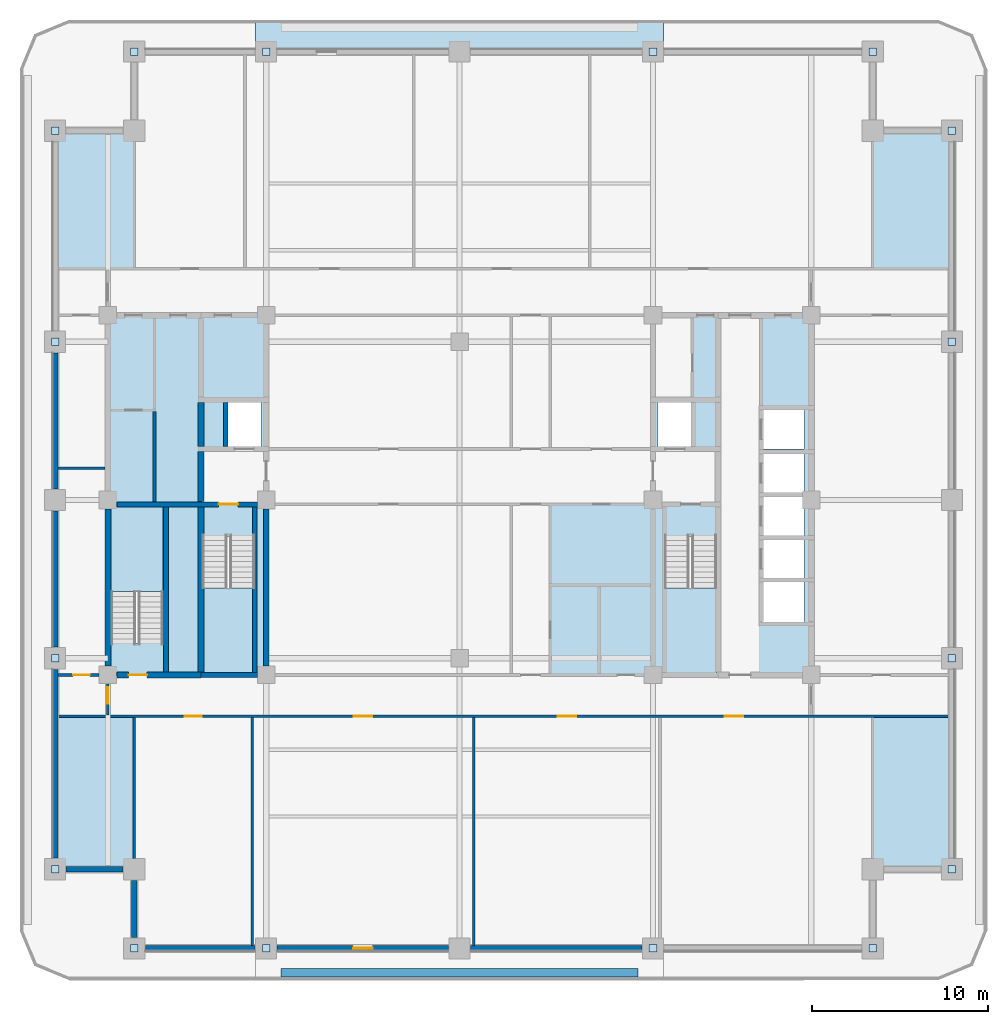
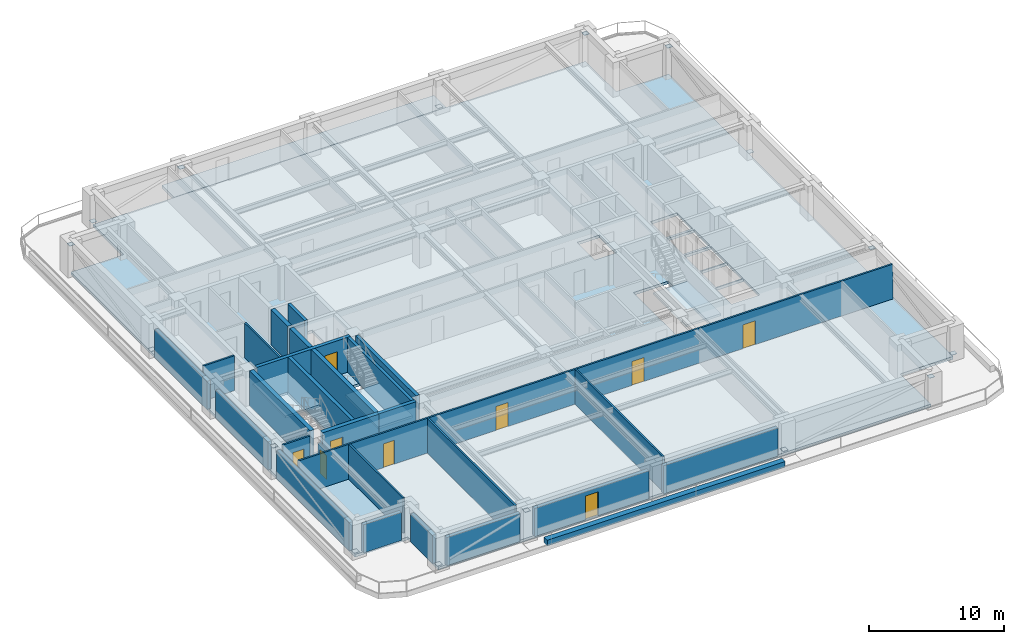
# One storey, part 2 of 13: 28 walls, 16 plates, 9 doors, 5 slabs, 9 openings, 3 elements without a shape of their own.
"""IFC4 building model written with IfcOpenShell, lengths in metres."""

import ifcopenshell
import ifcopenshell.guid

model = None  # the IFC model being written
_history = None  # IfcOwnerHistory: only IFC2X3 demands one
_inside = {}  # id of a spatial element -> (the spatial element, [elements in it])
_under = {}  # id of a project, library or spatial element -> (it, [spatial elements below it])
_declared = {}  # id of a project -> (the project, [libraries it declares])
_typed = {}  # id of a type object -> (the type object, [elements of that type])
_made_of = {}  # id of a material, layer set ... -> (it, [elements and type objects made of it])


def new_model(schema):
    """Start an empty IFC model of exactly this schema.

    Asked for "IFC4X3", IfcOpenShell would pick the latest addendum, in which some entities
    have other attributes; the version numbers below select the first issue.
    IFC2X3 requires an IfcOwnerHistory on every rooted entity: one is made here for all.
    """
    global model, _history
    if schema == "IFC4X3":
        model = ifcopenshell.file(schema_version=(4, 3, 0, 0))
    else:
        model = ifcopenshell.file(schema=schema)
    _inside.clear()
    _under.clear()
    _declared.clear()
    _typed.clear()
    _made_of.clear()
    _history = None
    if model.schema == "IFC2X3":
        org = make("IfcOrganization", Name="unknown")
        user = make(
            "IfcPersonAndOrganization",
            ThePerson=make("IfcPerson", FamilyName="unknown"),
            TheOrganization=org,
        )
        app = make(
            "IfcApplication",
            ApplicationDeveloper=org,
            Version="unknown",
            ApplicationFullName="unknown",
            ApplicationIdentifier="unknown",
        )
        _history = make(
            "IfcOwnerHistory",
            OwningUser=user,
            OwningApplication=app,
            ChangeAction="ADDED",
            CreationDate=0,
        )
    return model


def make(cls, **values):
    """One entity of the class cls with the attributes given. An attribute that is None is left unset."""
    return model.create_entity(
        cls, **{name: value for name, value in values.items() if value is not None}
    )


def rooted(cls, **values):
    """An entity with a GlobalId (a new one), such as an element, a storey or a relation."""
    return make(cls, GlobalId=ifcopenshell.guid.new(), OwnerHistory=_history, **values)


def si_unit(unit_type, name, prefix=None):
    """IfcSIUnit, for example si_unit("LENGTHUNIT", "METRE", prefix="MILLI")."""
    return make("IfcSIUnit", UnitType=unit_type, Prefix=prefix, Name=name)


def assignment(units):
    """IfcUnitAssignment: the units of a project."""
    return None if units is None else make("IfcUnitAssignment", Units=units)


def point(xyz):
    """IfcCartesianPoint."""
    return None if xyz is None else make("IfcCartesianPoint", Coordinates=xyz)


def direction(xyz):
    """IfcDirection."""
    return None if xyz is None else make("IfcDirection", DirectionRatios=xyz)


def frame(location, z_axis=None, x_axis=None):
    """IfcAxis2Placement3D, a coordinate frame: its origin and axes. An axis left out is left unset."""
    return make(
        "IfcAxis2Placement3D",
        Location=point(location),
        Axis=direction(z_axis),
        RefDirection=direction(x_axis),
    )


def frame_2d(location, x_axis=None):
    """IfcAxis2Placement2D, a coordinate frame in the plane: its origin and x axis."""
    return make(
        "IfcAxis2Placement2D", Location=point(location), RefDirection=direction(x_axis)
    )


def origin():
    """The frame at (0, 0, 0) with its axes left unset."""
    return frame((0.0, 0.0, 0.0))


def origin_2d():
    """The frame at (0, 0) in the plane with its x axis left unset."""
    return frame_2d((0.0, 0.0))


def place(relative_to, where):
    """IfcLocalPlacement: puts the frame where relative to a parent placement (None: the world)."""
    return make(
        "IfcLocalPlacement", PlacementRelTo=relative_to, RelativePlacement=where
    )


def context(
    kind, dimensions, precision=None, world=None, true_north=None, identifier=None
):
    """IfcGeometricRepresentationContext, for example the 3D "Model" context."""
    return make(
        "IfcGeometricRepresentationContext",
        ContextIdentifier=identifier,
        ContextType=kind,
        CoordinateSpaceDimension=dimensions,
        Precision=precision,
        WorldCoordinateSystem=world,
        TrueNorth=true_north,
    )


def subcontext(parent, identifier, kind, view, scale=None):
    """IfcGeometricRepresentationSubContext, for example "Body" below "Model"."""
    return make(
        "IfcGeometricRepresentationSubContext",
        ContextIdentifier=identifier,
        ContextType=kind,
        ParentContext=parent,
        TargetScale=scale,
        TargetView=view,
    )


def project(units=None, contexts=None):
    """IfcProject with its units and contexts."""
    return rooted(
        "IfcProject",
        Name="project",
        RepresentationContexts=contexts,
        UnitsInContext=assignment(units),
    )


def spatial(cls, under=None, at=None, **own):
    """A site, building, storey or space (cls), placed at a placement, below another one or the project."""
    s = rooted(cls, ObjectPlacement=at, **own)
    if under is not None:
        _under.setdefault(under.id(), (under, []))[1].append(s)
    return s


def polyline(points):
    """IfcPolyline through the points."""
    return make("IfcPolyline", Points=[point(p) for p in points])


def profile(cls, at=None, kind="AREA", **sizes):
    """A parametric profile (cls). Its sizes go by their IFC names, for example OverallWidth=200.0."""
    return make(cls, ProfileType=kind, Position=at, **sizes)


def rectangle(**sizes):
    """IfcRectangleProfileDef."""
    return profile("IfcRectangleProfileDef", **sizes)


def outline(outer, holes=None, kind="AREA"):
    """IfcArbitraryClosedProfileDef: a profile drawn as a closed curve; with holes, ...WithVoids."""
    if holes is None:
        return make("IfcArbitraryClosedProfileDef", ProfileType=kind, OuterCurve=outer)
    return make(
        "IfcArbitraryProfileDefWithVoids",
        ProfileType=kind,
        OuterCurve=outer,
        InnerCurves=holes,
    )


def extrude(swept, where, along, depth):
    """IfcExtrudedAreaSolid: the profile swept, set in the frame where, extruded along a direction by depth."""
    return make(
        "IfcExtrudedAreaSolid",
        SweptArea=swept,
        Position=where,
        ExtrudedDirection=direction(along),
        Depth=depth,
    )


def shape(context_of_items, identifier, shape_type, items):
    """IfcShapeRepresentation: the items that make up one representation, for example the "Body"."""
    return make(
        "IfcShapeRepresentation",
        ContextOfItems=context_of_items,
        RepresentationIdentifier=identifier,
        RepresentationType=shape_type,
        Items=items,
    )


def material(Name=None, Category=None):
    """IfcMaterial."""
    return make("IfcMaterial", Name=Name, Category=Category)


def layer(
    of_material, thickness, ventilated=None, Name=None, Category=None, Priority=None
):
    """IfcMaterialLayer: one layer of a wall or slab, of a material (None: an air gap)."""
    return make(
        "IfcMaterialLayer",
        Material=of_material,
        LayerThickness=thickness,
        IsVentilated=ventilated,
        Name=Name,
        Category=Category,
        Priority=Priority,
    )


def layer_set(layers, Name=None):
    """IfcMaterialLayerSet."""
    return make("IfcMaterialLayerSet", MaterialLayers=layers, LayerSetName=Name)


def made_of(thing, what):
    """Note that an element or type object is made of a material, layer set ...; save() writes the relation."""
    if what is not None:
        _made_of.setdefault(what.id(), (what, []))[1].append(thing)
    return thing


def type_object(cls, material=None, **own):
    """A type object (cls), such as IfcWallType, which elements share."""
    return made_of(rooted(cls, **own), material)


def element(
    cls,
    number,
    at=None,
    inside=None,
    cuts=None,
    type_object=None,
    material=None,
    context=None,
    identifier="Body",
    shape_type=None,
    held_by="IfcProductDefinitionShape",
    body=None,
    shapes=None,
    **own,
):
    """One element of the class cls, such as IfcWall. Its Tag is "e" and its number.

    at: its placement. inside: the storey or other place that contains it. cuts: it is an
    opening in that element (IfcRelVoidsElement). A single representation is given by context,
    identifier, shape_type and body (its items); several are given by shapes. held_by: the class
    of the entity that holds the representations. save() writes the other relations.
    """
    e = rooted(cls, Tag="e%d" % number, ObjectPlacement=at, **own)
    if body is not None:
        shapes = [shape(context, identifier, shape_type, body)]
    if shapes is not None:
        e.Representation = make(held_by, Representations=shapes)
    if inside is not None:
        _inside.setdefault(inside.id(), (inside, []))[1].append(e)
    if cuts is not None:
        rooted(
            "IfcRelVoidsElement", RelatingBuildingElement=cuts, RelatedOpeningElement=e
        )
    if type_object is not None:
        _typed.setdefault(type_object.id(), (type_object, []))[1].append(e)
    return made_of(e, material)


def fill(opening, filler):
    """IfcRelFillsElement: the door or window that sits in an opening."""
    return rooted(
        "IfcRelFillsElement",
        RelatingOpeningElement=opening,
        RelatedBuildingElement=filler,
    )


def aggregate(whole, parts):
    """IfcRelAggregates: a whole, such as a stair, and the parts it consists of."""
    return rooted("IfcRelAggregates", RelatingObject=whole, RelatedObjects=parts)


def save(model, path):
    """Write the relations noted so far, then the file.

    IfcRelAggregates (storeys below a building ...), IfcRelContainedInSpatialStructure (elements
    in a storey), IfcRelDefinesByType, IfcRelAssociatesMaterial and IfcRelDeclares: one each for
    every whole, place, type object, material and project.
    """
    for whole, parts in _under.values():
        aggregate(whole, parts)
    for where, things in _inside.values():
        rooted(
            "IfcRelContainedInSpatialStructure",
            RelatedElements=things,
            RelatingStructure=where,
        )
    for kind, things in _typed.values():
        rooted("IfcRelDefinesByType", RelatedObjects=things, RelatingType=kind)
    for what, things in _made_of.values():
        rooted("IfcRelAssociatesMaterial", RelatedObjects=things, RelatingMaterial=what)
    for by, libraries in _declared.values():
        rooted("IfcRelDeclares", RelatingContext=by, RelatedDefinitions=libraries)
    model.write(path)


model = new_model("IFC4")

# Units and contexts
model_context = context("Model", 3, precision=1e-05, world=origin(), true_north=direction((0.0, 1.0)))
body_context = subcontext(model_context, "Body", "Model", "MODEL_VIEW")
ifc_project = project(units=[si_unit("LENGTHUNIT", "METRE"), si_unit("AREAUNIT", "SQUARE_METRE"), si_unit("VOLUMEUNIT", "CUBIC_METRE"), si_unit("PLANEANGLEUNIT", "RADIAN"), si_unit("MASSUNIT", "GRAM", prefix="KILO")], contexts=[model_context])

# Site, building, storey
site_placement = place(None, origin())
site = spatial("IfcSite", under=ifc_project, at=site_placement, CompositionType="ELEMENT")
building_placement = place(site_placement, origin())
building = spatial("IfcBuilding", under=site, at=building_placement, Name="Zulmaris Gate Convention Tower", CompositionType="ELEMENT")
storey_placement = place(building_placement, frame((0.0, 0.0, 112.780029296875)))
storey = spatial("IfcBuildingStorey", under=building, at=storey_placement, Name="L28", CompositionType="ELEMENT", Elevation=112.780029296875)

# Plates
ifc_material_1 = material(Name="Steel S460", Category="steel")
ifc_layer_1 = layer(ifc_material_1, 0.02490234375, Name="Steel S460")
ifc_layer_set_1 = layer_set([ifc_layer_1], Name="Steel S460")
plate_type = type_object("IfcPlateType", Name="NP-CAP-440", PredefinedType="USERDEFINED", material=ifc_layer_set_1)
for number, where, z_axis, x_axis, name in (
    (1, (-23.0, -21.0, 0.28759765625), (0.0, 0.0, 1.0), (1.0, 0.0, 0.0), "L28 Steel Node Plate PBR-L28-SW-W-CAP"),
    (2, (-23.0, -9.0, 2.512451171875), (0.0, 0.0, 1.0), (1.0, 0.0, 0.0), "L28 Steel Node Plate PBR-L28-SW-W-CAPB"),
    (3, (-23.0, 9.0, 0.28759765625), (0.0, 0.0, 1.0), (1.0, 0.0, 0.0), "L28 Steel Node Plate PBR-L28-NW-W-CAP"),
    (4, (-23.0, 21.0, 2.512451171875), (0.0, 0.0, 1.0), (1.0, 0.0, 0.0), "L28 Steel Node Plate PBR-L28-NW-W-CAPB"),
    (5, (28.0, -21.0, 0.28759765625), (0.0, 0.0, 1.0), (1.0, 0.0, 0.0), "L28 Steel Node Plate PBR-L28-SE-E-CAP"),
    (6, (28.0, -9.0, 2.512451171875), (0.0, 0.0, 1.0), (1.0, 0.0, 0.0), "L28 Steel Node Plate PBR-L28-SE-E-CAPB"),
    (7, (28.0, 9.0, 0.28759765625), (0.0, 0.0, 1.0), (1.0, 0.0, 0.0), "L28 Steel Node Plate PBR-L28-NE-E-CAP"),
    (8, (28.0, 21.0, 2.512451171875), (0.0, 0.0, 1.0), (1.0, 0.0, 0.0), "L28 Steel Node Plate PBR-L28-NE-E-CAPB"),
    (9, (-18.5, -25.5, 0.28759765625), (0.0, 0.0, 1.0), (1.0, 0.0, 0.0), "L28 Steel Node Plate PBR-L28-SW-S-CAP"),
    (10, (-11.0, -25.5, 2.512451171875), (0.0, 0.0, 1.0), (1.0, 0.0, 0.0), "L28 Steel Node Plate PBR-L28-SW-S-CAPB"),
    (11, (11.0, -25.5, 0.28759765625), (0.0, 0.0, 1.0), (1.0, 0.0, 0.0), "L28 Steel Node Plate PBR-L28-SE-S-CAP"),
    (12, (23.5, -25.5, 2.512451171875), (0.0, 0.0, 1.0), (1.0, 0.0, 0.0), "L28 Steel Node Plate PBR-L28-SE-S-CAPB"),
    (13, (-18.5, 25.5, 0.28759765625), (0.0, 0.0, 1.0), (1.0, 0.0, 0.0), "L28 Steel Node Plate PBR-L28-NW-N-CAP"),
    (14, (-11.0, 25.5, 2.512451171875), (0.0, 0.0, 1.0), (1.0, 0.0, 0.0), "L28 Steel Node Plate PBR-L28-NW-N-CAPB"),
    (15, (11.0, 25.5, 0.28759765625), (0.0, 0.0, 1.0), (1.0, 0.0, 0.0), "L28 Steel Node Plate PBR-L28-NE-N-CAP"),
    (16, (23.5, 25.5, 2.512451171875), (0.0, 0.0, 1.0), (1.0, 0.0, 0.0), "L28 Steel Node Plate PBR-L28-NE-N-CAPB"),
):
    element("IfcPlate", number, at=place(storey_placement, frame(where, z_axis=z_axis, x_axis=x_axis)), inside=storey, type_object=plate_type, Name=name, ObjectType="FLANGE PLATE", PredefinedType="USERDEFINED", context=body_context, shape_type="SweptSolid", body=[
        extrude(rectangle(XDim=0.43994140625, YDim=0.43994140625, at=origin_2d()), origin(), (0.0, 0.0, 1.0), 0.02490234375),
    ])

# Slabs
ifc_material_2 = material(Name="Precast concrete C50/60", Category="concrete")
ifc_layer_2 = layer(ifc_material_2, 0.260009765625, Name="Precast concrete C50/60")
ifc_layer_set_2 = layer_set([ifc_layer_2], Name="Precast concrete C50/60")
slab_type_1 = type_object("IfcSlabType", Name="SL-BAL-260", PredefinedType="FLOOR", material=ifc_layer_set_2)
slab_1_placement = place(storey_placement, frame((0.0, 0.0, -0.25)))
element("IfcSlab", 17, at=slab_1_placement, inside=storey, type_object=slab_type_1, Name="L28 North Tree-Balcony Planter Slab", PredefinedType="FLOOR", context=body_context, shape_type="SweptSolid", body=[
    extrude(outline(polyline([(11.597900390625, 27.300048828125), (11.597900390625, 25.5), (-11.597900390625, 25.5), (-11.597900390625, 27.300048828125), (11.597900390625, 27.300048828125)])), origin(), (0.0, 0.0, 1.0), 0.260009765625),
])
ifc_material_3 = material(Name="Concrete C50/60", Category="concrete")
ifc_layer_3 = layer(ifc_material_3, 0.25, Name="Concrete C50/60")
ifc_layer_set_3 = layer_set([ifc_layer_3], Name="Concrete C50/60")
slab_type_2 = type_object("IfcSlabType", Name="SL-FLR-250", PredefinedType="FLOOR", material=ifc_layer_set_3)
slab_2_placement = place(storey_placement, frame((0.0, 0.0, -0.25)))
element("IfcSlab", 18, at=slab_2_placement, inside=storey, type_object=slab_type_2, Name="L28 Shifted Notched-Square Structural Floor Slab", PredefinedType="FLOOR", context=body_context, shape_type="SweptSolid", body=[
    extrude(outline(polyline([(-18.5, -25.5), (23.5, -25.5), (23.5, -21.0), (28.0, -21.0), (28.0, 21.0), (23.5, 21.0), (23.5, 25.5), (-18.5, 25.5), (-18.5, 21.0), (-23.0, 21.0), (-23.0, -21.0), (-18.5, -21.0), (-18.5, -25.5)]), holes=[polyline([(-14.6201171875, -2.080078125), (-14.6201171875, -9.85009765625), (-11.659912109375, -9.85009765625), (-11.659912109375, -2.080078125), (-14.6201171875, -2.080078125)]), polyline([(11.659912109375, -2.080078125), (11.659912109375, -9.85009765625), (14.6201171875, -9.85009765625), (14.6201171875, -2.080078125), (11.659912109375, -2.080078125)]), polyline([(-16.860107421875, -8.1201171875), (-16.860107421875, -0.35009765625), (-19.820068359375, -0.35009765625), (-19.820068359375, -8.1201171875), (-16.860107421875, -8.1201171875)]), polyline([(-13.199951171875, 3.0), (-11.300048828125, 3.0), (-11.300048828125, 5.60009765625), (-13.199951171875, 5.60009765625), (-13.199951171875, 3.0)]), polyline([(11.300048828125, 3.0), (13.199951171875, 3.0), (13.199951171875, 5.60009765625), (11.300048828125, 5.60009765625), (11.300048828125, 3.0)]), polyline([(17.199951171875, -7.0), (19.60009765625, -7.0), (19.60009765625, -4.60009765625), (17.199951171875, -4.60009765625), (17.199951171875, -7.0)]), polyline([(17.300048828125, -4.5), (19.60009765625, -4.5), (19.60009765625, -2.199951171875), (17.300048828125, -2.199951171875), (17.300048828125, -4.5)]), polyline([(17.300048828125, -2.10009765625), (19.60009765625, -2.10009765625), (19.60009765625, 0.199951171875), (17.300048828125, 0.199951171875), (17.300048828125, -2.10009765625)]), polyline([(17.300048828125, 0.39990234375), (19.60009765625, 0.39990234375), (19.60009765625, 2.699951171875), (17.300048828125, 2.699951171875), (17.300048828125, 0.39990234375)]), polyline([(17.300048828125, 2.89990234375), (19.60009765625, 2.89990234375), (19.60009765625, 5.199951171875), (17.300048828125, 5.199951171875), (17.300048828125, 2.89990234375)])]), origin(), (0.0, 0.0, 1.0), 0.25),
])

# Stair, slab
ifc_material_4 = material(Name="Concrete C45/55", Category="concrete")
stair_type = type_object("IfcStairType", Name="ST-CORE-DOGLEG", PredefinedType="HALF_TURN_STAIR", material=ifc_material_4)
stair_1_placement = place(storey_placement, origin())
stair_1 = element("IfcStair", 19, at=stair_1_placement, inside=storey, type_object=stair_type, Name="L28 Core Exit Stair ST-1", PredefinedType="HALF_TURN_STAIR")
ifc_layer_4 = layer(ifc_material_4, 0.199951171875, Name="Concrete C45/55")
ifc_layer_set_4 = layer_set([ifc_layer_4], Name="Concrete C45/55")
slab_type_3 = type_object("IfcSlabType", Name="SL-LND-200", PredefinedType="LANDING", material=ifc_layer_set_4)
slab_3_placement = place(storey_placement, frame((0.0, 0.0, 1.5849609375)))
slab_3 = element("IfcSlab", 20, at=slab_3_placement, type_object=slab_type_3, Name="ST-1 landing 1", PredefinedType="LANDING", context=body_context, shape_type="SweptSolid", body=[
    extrude(outline(polyline([(-14.6201171875, -5.0), (-14.6201171875, -9.85009765625), (-11.659912109375, -9.85009765625), (-11.659912109375, -5.0), (-14.6201171875, -5.0)])), origin(), (0.0, 0.0, 1.0), 0.199951171875),
])
aggregate(stair_1, [slab_3])

stair_2_placement = place(storey_placement, origin())
stair_2 = element("IfcStair", 21, at=stair_2_placement, inside=storey, type_object=stair_type, Name="L28 Core Exit Stair ST-2", PredefinedType="HALF_TURN_STAIR")
slab_4_placement = place(storey_placement, frame((0.0, 0.0, 1.5849609375)))
slab_4 = element("IfcSlab", 22, at=slab_4_placement, type_object=slab_type_3, Name="ST-2 landing 1", PredefinedType="LANDING", context=body_context, shape_type="SweptSolid", body=[
    extrude(outline(polyline([(11.659912109375, -5.0), (11.659912109375, -9.85009765625), (14.6201171875, -9.85009765625), (14.6201171875, -5.0), (11.659912109375, -5.0)])), origin(), (0.0, 0.0, 1.0), 0.199951171875),
])
aggregate(stair_2, [slab_4])

stair_3_placement = place(storey_placement, origin())
stair_3 = element("IfcStair", 23, at=stair_3_placement, inside=storey, type_object=stair_type, Name="L28 Core Exit Stair ST-3", PredefinedType="HALF_TURN_STAIR")
slab_5_placement = place(storey_placement, frame((0.0, 0.0, 1.5849609375)))
slab_5 = element("IfcSlab", 24, at=slab_5_placement, type_object=slab_type_3, Name="ST-3 landing 1", PredefinedType="LANDING", context=body_context, shape_type="SweptSolid", body=[
    extrude(outline(polyline([(-16.860107421875, -5.199951171875), (-16.860107421875, -0.35009765625), (-19.820068359375, -0.35009765625), (-19.820068359375, -5.199951171875), (-16.860107421875, -5.199951171875)])), origin(), (0.0, 0.0, 1.0), 0.199951171875),
])
aggregate(stair_3, [slab_5])

# Walls
ifc_layer_5 = layer(ifc_material_3, 0.25, Name="Concrete C50/60")
ifc_layer_set_5 = layer_set([ifc_layer_5], Name="Concrete C50/60")
wall_type_1 = type_object("IfcWallType", Name="CORE-250", PredefinedType="SOLIDWALL", material=ifc_layer_set_5)
wall_1_placement = place(storey_placement, frame((-13.300048828125, 3.052001953125, 0.0), z_axis=(0.0, 0.0, 1.0), x_axis=(0.0, 1.0, 0.0)))
element("IfcWall", 25, at=wall_1_placement, inside=storey, type_object=wall_type_1, Name="WL-L28-041", PredefinedType="SOLIDWALL", context=body_context, shape_type="SweptSolid", body=[
    extrude(rectangle(XDim=2.49609375, YDim=0.25, at=frame_2d((1.248046875, 0.0))), origin(), (0.0, 0.0, 1.0), 3.144775390625),
])
wall_2_placement = place(storey_placement, frame((-11.64990234375, -9.798095703125, 0.0), z_axis=(0.0, 0.0, 1.0), x_axis=(0.0, 1.0, 0.0)))
element("IfcWall", 26, at=wall_2_placement, inside=storey, type_object=wall_type_1, Name="WL-L28-042", PredefinedType="SOLIDWALL", context=body_context, shape_type="SweptSolid", body=[
    extrude(rectangle(XDim=9.39599609375, YDim=0.25, at=frame_2d((4.697998046875, 0.0))), origin(), (0.0, 0.0, 1.0), 3.144775390625),
])
ifc_layer_6 = layer(ifc_material_3, 0.300048828125, Name="Concrete C50/60")
ifc_layer_set_6 = layer_set([ifc_layer_6], Name="Concrete C50/60")
wall_type_2 = type_object("IfcWallType", Name="CORE-300", PredefinedType="SHEAR", material=ifc_layer_set_6)
wall_3_placement = place(storey_placement, frame((-14.699951171875, -9.949951171875, 0.0), z_axis=(0.0, 0.0, 1.0), x_axis=(1.0, 0.0, 0.0)))
element("IfcWall", 27, at=wall_3_placement, inside=storey, type_object=wall_type_2, Name="WL-L28-002", PredefinedType="SHEAR", context=body_context, shape_type="SweptSolid", body=[
    extrude(rectangle(XDim=3.196044921875, YDim=0.300048828125, at=frame_2d((1.59814453125, 0.0))), origin(), (0.0, 0.0, 1.0), 3.144775390625),
])

# Wall, opening, door
wall_4_placement = place(storey_placement, frame((-19.49609375, -0.25, 0.0), z_axis=(0.0, 0.0, 1.0), x_axis=(1.0, 0.0, 0.0)))
wall_4 = element("IfcWall", 28, at=wall_4_placement, inside=storey, type_object=wall_type_2, Name="WL-L28-008", PredefinedType="SHEAR", context=body_context, shape_type="SweptSolid", body=[
    extrude(rectangle(XDim=7.9921875, YDim=0.300048828125, at=frame_2d((3.99609375, 0.0))), origin(), (0.0, 0.0, 1.0), 3.144775390625),
])
opening_1_placement = place(wall_4_placement, frame((5.7958984375, 0.0, 0.0)))
opening_1 = element("IfcOpeningElement", 29, at=opening_1_placement, cuts=wall_4, Name="Opening D-08", PredefinedType="OPENING", context=body_context, shape_type="SweptSolid", body=[
    extrude(rectangle(XDim=1.10009765625, YDim=2.14990234375, at=frame_2d((0.550048828125, 1.074951171875))), frame((0.0, 0.16015625, 0.0), z_axis=(0.0, -1.0, 0.0), x_axis=(1.0, 0.0, 0.0)), (0.0, 0.0, 1.0), 0.320068359375),
])
ifc_material_5 = material(Name="Fire-Rated Steel", Category="steel")
door_type_1 = type_object("IfcDoorType", Name="DR-1100-FD", OperationType="NOTDEFINED", PredefinedType="DOOR", material=ifc_material_5)
door_1_placement = place(opening_1_placement, origin())
door_1 = element("IfcDoor", 30, at=door_1_placement, inside=storey, type_object=door_type_1, Name="L28 Exit Stair ST-1 Door 01", OperationType="SINGLE_SWING_RIGHT", OverallHeight=2.14990234375, OverallWidth=1.10009765625, PredefinedType="DOOR", context=body_context, shape_type="SweptSolid", body=[
    extrude(rectangle(XDim=1.10009765625, YDim=2.14990234375, at=frame_2d((0.550048828125, 1.074951171875))), frame((0.0, 0.02490234375, 0.0), z_axis=(0.0, -1.0, 0.0), x_axis=(1.0, 0.0, 0.0)), (0.0, 0.0, 1.0), 0.050048828125),
])
fill(opening_1, door_1)

# Walls
wall_5_placement = place(storey_placement, frame((-16.699951171875, -9.77294921875, 0.0), z_axis=(0.0, 0.0, 1.0), x_axis=(0.0, 1.0, 0.0)))
element("IfcWall", 31, at=wall_5_placement, inside=storey, type_object=wall_type_2, Name="WL-L28-036", PredefinedType="SHEAR", context=body_context, shape_type="SweptSolid", body=[
    extrude(rectangle(XDim=9.370849609375, YDim=0.300048828125, at=frame_2d((4.685546875, 0.0))), origin(), (0.0, 0.0, 1.0), 3.144775390625),
])
wall_6_placement = place(storey_placement, frame((-11.0, -9.446044921875, 0.0), z_axis=(0.0, 0.0, 1.0), x_axis=(0.0, 1.0, 0.0)))
element("IfcWall", 32, at=wall_6_placement, inside=storey, type_object=wall_type_2, Name="WL-L28-043", PredefinedType="SHEAR", context=body_context, shape_type="SweptSolid", body=[
    extrude(rectangle(XDim=8.942138671875, YDim=0.300048828125, at=frame_2d((4.47119140625, 0.0))), origin(), (0.0, 0.0, 1.0), 3.144775390625),
])

# Wall, opening, door
ifc_material_6 = material(Name="Concrete C55/67", Category="concrete")
ifc_layer_7 = layer(ifc_material_6, 0.35009765625, Name="Concrete C55/67")
ifc_layer_set_7 = layer_set([ifc_layer_7], Name="Concrete C55/67")
wall_type_3 = type_object("IfcWallType", Name="CORE-350", PredefinedType="SHEAR", material=ifc_layer_set_7)
wall_7_placement = place(storey_placement, frame((-19.49609375, -9.949951171875, 0.0), z_axis=(0.0, 0.0, 1.0), x_axis=(1.0, 0.0, 0.0)))
wall_7 = element("IfcWall", 33, at=wall_7_placement, inside=storey, type_object=wall_type_3, Name="WL-L28-001", PredefinedType="SHEAR", context=body_context, shape_type="SweptSolid", body=[
    extrude(rectangle(XDim=4.796142578125, YDim=0.35009765625, at=frame_2d((2.39794921875, 0.0))), origin(), (0.0, 0.0, 1.0), 3.144775390625),
])
opening_2_placement = place(wall_7_placement, frame((0.6708984375, 0.0, 0.0)))
opening_2 = element("IfcOpeningElement", 34, at=opening_2_placement, cuts=wall_7, Name="Opening D-09", PredefinedType="OPENING", context=body_context, shape_type="SweptSolid", body=[
    extrude(rectangle(XDim=1.050048828125, YDim=2.14990234375, at=frame_2d((0.52490234375, 1.074951171875))), frame((0.0, 0.18505859375, 0.0), z_axis=(0.0, -1.0, 0.0), x_axis=(1.0, 0.0, 0.0)), (0.0, 0.0, 1.0), 0.3701171875),
])
door_type_2 = type_object("IfcDoorType", Name="DR-1050-FD", OperationType="NOTDEFINED", PredefinedType="DOOR", material=ifc_material_5)
door_2_placement = place(opening_2_placement, origin())
door_2 = element("IfcDoor", 35, at=door_2_placement, inside=storey, type_object=door_type_2, Name="L28 Exit Stair ST-3 Door 10", OperationType="SINGLE_SWING_LEFT", OverallHeight=2.14990234375, OverallWidth=1.050048828125, PredefinedType="DOOR", context=body_context, shape_type="SweptSolid", body=[
    extrude(rectangle(XDim=1.050048828125, YDim=2.14990234375, at=frame_2d((0.52490234375, 1.074951171875))), frame((0.0, 0.02490234375, 0.0), z_axis=(0.0, -1.0, 0.0), x_axis=(1.0, 0.0, 0.0)), (0.0, 0.0, 1.0), 0.050048828125),
])
fill(opening_2, door_2)

# Walls
wall_8_placement = place(storey_placement, frame((-20.0, -9.446044921875, 0.0), z_axis=(0.0, 0.0, 1.0), x_axis=(0.0, 1.0, 0.0)))
element("IfcWall", 36, at=wall_8_placement, inside=storey, type_object=wall_type_3, Name="WL-L28-034", PredefinedType="SHEAR", context=body_context, shape_type="SweptSolid", body=[
    extrude(rectangle(XDim=8.942138671875, YDim=0.35009765625, at=frame_2d((4.47119140625, 0.0))), origin(), (0.0, 0.0, 1.0), 3.144775390625),
])
wall_9_placement = place(storey_placement, frame((-14.699951171875, -9.77294921875, 0.0), z_axis=(0.0, 0.0, 1.0), x_axis=(0.0, 1.0, 0.0)))
element("IfcWall", 37, at=wall_9_placement, inside=storey, type_object=wall_type_3, Name="WL-L28-037", PredefinedType="SHEAR", context=body_context, shape_type="SweptSolid", body=[
    extrude(rectangle(XDim=9.370849609375, YDim=0.35009765625, at=frame_2d((4.685546875, 0.0))), origin(), (0.0, 0.0, 1.0), 3.144775390625),
])
wall_10_placement = place(storey_placement, frame((-14.699951171875, -0.097900390625, 0.0), z_axis=(0.0, 0.0, 1.0), x_axis=(0.0, 1.0, 0.0)))
element("IfcWall", 38, at=wall_10_placement, inside=storey, type_object=wall_type_3, Name="WL-L28-038", PredefinedType="SHEAR", context=body_context, shape_type="SweptSolid", body=[
    extrude(rectangle(XDim=2.845947265625, YDim=0.35009765625, at=frame_2d((1.4228515625, 0.0))), origin(), (0.0, 0.0, 1.0), 3.144775390625),
])
wall_11_placement = place(storey_placement, frame((-14.699951171875, 3.052001953125, 0.0), z_axis=(0.0, 0.0, 1.0), x_axis=(0.0, 1.0, 0.0)))
element("IfcWall", 39, at=wall_11_placement, inside=storey, type_object=wall_type_3, Name="WL-L28-039", PredefinedType="SHEAR", context=body_context, shape_type="SweptSolid", body=[
    extrude(rectangle(XDim=2.49609375, YDim=0.35009765625, at=frame_2d((1.248046875, 0.0))), origin(), (0.0, 0.0, 1.0), 3.144775390625),
])

# Wall, openings, doors
ifc_material_7 = material(Name="Gypsum Metal Stud Partition")
ifc_layer_8 = layer(ifc_material_7, 0.14990234375, Name="Gypsum Metal Stud Partition")
ifc_layer_set_8 = layer_set([ifc_layer_8], Name="Gypsum Metal Stud Partition")
wall_type_4 = type_object("IfcWallType", Name="PART-150", PredefinedType="PARTITIONING", material=ifc_layer_set_8)
wall_12_placement = place(storey_placement, frame((-22.8349609375, -12.300048828125, 0.0), z_axis=(0.0, 0.0, 1.0), x_axis=(1.0, 0.0, 0.0)))
wall_12 = element("IfcWall", 40, at=wall_12_placement, inside=storey, type_object=wall_type_4, Name="WL-L28-021", PredefinedType="PARTITIONING", context=body_context, shape_type="SweptSolid", body=[
    extrude(rectangle(XDim=50.669921875, YDim=0.14990234375, at=frame_2d((25.3349609375, 0.0))), origin(), (0.0, 0.0, 1.0), 3.144775390625),
])
opening_3_placement = place(wall_12_placement, frame((7.2099609375, 0.0, 0.0)))
opening_3 = element("IfcOpeningElement", 41, at=opening_3_placement, cuts=wall_12, Name="Opening D-11", PredefinedType="OPENING", context=body_context, shape_type="SweptSolid", body=[
    extrude(rectangle(XDim=0.949951171875, YDim=2.14990234375, at=frame_2d((0.47509765625, 1.074951171875))), frame((0.0, 0.0849609375, 0.0), z_axis=(0.0, -1.0, 0.0), x_axis=(1.0, 0.0, 0.0)), (0.0, 0.0, 1.0), 0.169921875),
])
opening_4_placement = place(wall_12_placement, frame((16.81005859375, 0.0, 0.0)))
opening_4 = element("IfcOpeningElement", 42, at=opening_4_placement, cuts=wall_12, Name="Opening D-09", PredefinedType="OPENING", context=body_context, shape_type="SweptSolid", body=[
    extrude(rectangle(XDim=1.050048828125, YDim=2.14990234375, at=frame_2d((0.52490234375, 1.074951171875))), frame((0.0, 0.0849609375, 0.0), z_axis=(0.0, -1.0, 0.0), x_axis=(1.0, 0.0, 0.0)), (0.0, 0.0, 1.0), 0.169921875),
])
opening_5_placement = place(wall_12_placement, frame((28.409912109375, 0.0, 0.0)))
opening_5 = element("IfcOpeningElement", 43, at=opening_5_placement, cuts=wall_12, Name="Opening D-09", PredefinedType="OPENING", context=body_context, shape_type="SweptSolid", body=[
    extrude(rectangle(XDim=1.050048828125, YDim=2.14990234375, at=frame_2d((0.52490234375, 1.074951171875))), frame((0.0, 0.0849609375, 0.0), z_axis=(0.0, -1.0, 0.0), x_axis=(1.0, 0.0, 0.0)), (0.0, 0.0, 1.0), 0.169921875),
])
opening_6_placement = place(wall_12_placement, frame((37.909912109375, 0.0, 0.0)))
opening_6 = element("IfcOpeningElement", 44, at=opening_6_placement, cuts=wall_12, Name="Opening D-09", PredefinedType="OPENING", context=body_context, shape_type="SweptSolid", body=[
    extrude(rectangle(XDim=1.050048828125, YDim=2.14990234375, at=frame_2d((0.52490234375, 1.074951171875))), frame((0.0, 0.0849609375, 0.0), z_axis=(0.0, -1.0, 0.0), x_axis=(1.0, 0.0, 0.0)), (0.0, 0.0, 1.0), 0.169921875),
])
door_3_placement = place(opening_4_placement, origin())
door_3 = element("IfcDoor", 45, at=door_3_placement, inside=storey, type_object=door_type_2, Name="L28 Commercial Advisory Office Door 30", OperationType="SINGLE_SWING_LEFT", OverallHeight=2.14990234375, OverallWidth=1.050048828125, PredefinedType="DOOR", context=body_context, shape_type="SweptSolid", body=[
    extrude(rectangle(XDim=1.050048828125, YDim=2.14990234375, at=frame_2d((0.52490234375, 1.074951171875))), frame((0.0, 0.02490234375, 0.0), z_axis=(0.0, -1.0, 0.0), x_axis=(1.0, 0.0, 0.0)), (0.0, 0.0, 1.0), 0.050048828125),
])
fill(opening_4, door_3)
door_4_placement = place(opening_5_placement, origin())
door_4 = element("IfcDoor", 46, at=door_4_placement, inside=storey, type_object=door_type_2, Name="L28 Regional Corporate Office Door 31", OperationType="SINGLE_SWING_RIGHT", OverallHeight=2.14990234375, OverallWidth=1.050048828125, PredefinedType="DOOR", context=body_context, shape_type="SweptSolid", body=[
    extrude(rectangle(XDim=1.050048828125, YDim=2.14990234375, at=frame_2d((0.52490234375, 1.074951171875))), frame((0.0, 0.02490234375, 0.0), z_axis=(0.0, -1.0, 0.0), x_axis=(1.0, 0.0, 0.0)), (0.0, 0.0, 1.0), 0.050048828125),
])
fill(opening_5, door_4)
door_5_placement = place(opening_6_placement, origin())
door_5 = element("IfcDoor", 47, at=door_5_placement, inside=storey, type_object=door_type_2, Name="L28 Client Practice Studio Door 32", OperationType="SINGLE_SWING_LEFT", OverallHeight=2.14990234375, OverallWidth=1.050048828125, PredefinedType="DOOR", context=body_context, shape_type="SweptSolid", body=[
    extrude(rectangle(XDim=1.050048828125, YDim=2.14990234375, at=frame_2d((0.52490234375, 1.074951171875))), frame((0.0, 0.02490234375, 0.0), z_axis=(0.0, -1.0, 0.0), x_axis=(1.0, 0.0, 0.0)), (0.0, 0.0, 1.0), 0.050048828125),
])
fill(opening_6, door_5)
ifc_material_8 = material(Name="Fire-Rated Timber", Category="wood")
door_type_3 = type_object("IfcDoorType", Name="DR-950-FD", OperationType="NOTDEFINED", PredefinedType="DOOR", material=ifc_material_8)
door_6_placement = place(opening_3_placement, origin())
door_6 = element("IfcDoor", 48, at=door_6_placement, inside=storey, type_object=door_type_3, Name="L28 Delegate Business Lounge Door 29", OperationType="SINGLE_SWING_RIGHT", OverallHeight=2.14990234375, OverallWidth=0.949951171875, PredefinedType="DOOR", context=body_context, shape_type="SweptSolid", body=[
    extrude(rectangle(XDim=0.949951171875, YDim=2.14990234375, at=frame_2d((0.47509765625, 1.074951171875))), frame((0.0, 0.02490234375, 0.0), z_axis=(0.0, -1.0, 0.0), x_axis=(1.0, 0.0, 0.0)), (0.0, 0.0, 1.0), 0.050048828125),
])
fill(opening_3, door_6)

# Wall, opening, door
wall_13_placement = place(storey_placement, frame((-22.8349609375, -9.949951171875, 0.0), z_axis=(0.0, 0.0, 1.0), x_axis=(1.0, 0.0, 0.0)))
wall_13 = element("IfcWall", 49, at=wall_13_placement, inside=storey, type_object=wall_type_4, Name="WL-L28-022", PredefinedType="PARTITIONING", context=body_context, shape_type="SweptSolid", body=[
    extrude(rectangle(XDim=2.328857421875, YDim=0.14990234375, at=frame_2d((1.16455078125, 0.0))), origin(), (0.0, 0.0, 1.0), 3.144775390625),
])
opening_7_placement = place(wall_13_placement, frame((0.860107421875, 0.0, 0.0)))
opening_7 = element("IfcOpeningElement", 50, at=opening_7_placement, cuts=wall_13, Name="Opening D-11", PredefinedType="OPENING", context=body_context, shape_type="SweptSolid", body=[
    extrude(rectangle(XDim=0.949951171875, YDim=2.14990234375, at=frame_2d((0.47509765625, 1.074951171875))), frame((0.0, 0.0849609375, 0.0), z_axis=(0.0, -1.0, 0.0), x_axis=(1.0, 0.0, 0.0)), (0.0, 0.0, 1.0), 0.169921875),
])
door_7_placement = place(opening_7_placement, origin())
door_7 = element("IfcDoor", 51, at=door_7_placement, inside=storey, type_object=door_type_3, Name="L28 SW Partner Door 42", OperationType="SINGLE_SWING_LEFT", OverallHeight=2.14990234375, OverallWidth=0.949951171875, PredefinedType="DOOR", context=body_context, shape_type="SweptSolid", body=[
    extrude(rectangle(XDim=0.949951171875, YDim=2.14990234375, at=frame_2d((0.47509765625, 1.074951171875))), frame((0.0, 0.02490234375, 0.0), z_axis=(0.0, -1.0, 0.0), x_axis=(1.0, 0.0, 0.0)), (0.0, 0.0, 1.0), 0.050048828125),
])
fill(opening_7, door_7)

# Wall
wall_14_placement = place(storey_placement, frame((-22.8349609375, 1.800048828125, 0.0), z_axis=(0.0, 0.0, 1.0), x_axis=(1.0, 0.0, 0.0)))
element("IfcWall", 52, at=wall_14_placement, inside=storey, type_object=wall_type_4, Name="WL-L28-027", PredefinedType="PARTITIONING", context=body_context, shape_type="SweptSolid", body=[
    extrude(rectangle(XDim=2.656982421875, YDim=0.14990234375, at=frame_2d((1.32861328125, 0.0))), origin(), (0.0, 0.0, 1.0), 3.144775390625),
])

# Wall, opening, door
wall_15_placement = place(storey_placement, frame((-20.0, -12.221923828125, 0.0), z_axis=(0.0, 0.0, 1.0), x_axis=(0.0, 1.0, 0.0)))
wall_15 = element("IfcWall", 53, at=wall_15_placement, inside=storey, type_object=wall_type_4, Name="WL-L28-069", PredefinedType="PARTITIONING", context=body_context, shape_type="SweptSolid", body=[
    extrude(rectangle(XDim=1.765869140625, YDim=0.14990234375, at=frame_2d((0.8828125, 0.0))), origin(), (0.0, 0.0, 1.0), 2.634765625),
])
opening_8_placement = place(wall_15_placement, frame((0.626953125, 0.0, 0.0)))
opening_8 = element("IfcOpeningElement", 54, at=opening_8_placement, cuts=wall_15, Name="Opening D-11", PredefinedType="OPENING", context=body_context, shape_type="SweptSolid", body=[
    extrude(rectangle(XDim=0.949951171875, YDim=2.14990234375, at=frame_2d((0.47509765625, 1.074951171875))), frame((0.0, 0.0849609375, 0.0), z_axis=(0.0, -1.0, 0.0), x_axis=(1.0, 0.0, 0.0)), (0.0, 0.0, 1.0), 0.169921875),
])
door_8_placement = place(opening_8_placement, origin())
door_8 = element("IfcDoor", 55, at=door_8_placement, inside=storey, type_object=door_type_3, Name="L28 SW Spur Door 40", OperationType="SINGLE_SWING_LEFT", OverallHeight=2.14990234375, OverallWidth=0.949951171875, PredefinedType="DOOR", context=body_context, shape_type="SweptSolid", body=[
    extrude(rectangle(XDim=0.949951171875, YDim=2.14990234375, at=frame_2d((0.47509765625, 1.074951171875))), frame((0.0, 0.02490234375, 0.0), z_axis=(0.0, -1.0, 0.0), x_axis=(1.0, 0.0, 0.0)), (0.0, 0.0, 1.0), 0.050048828125),
])
fill(opening_8, door_8)

# Walls
wall_16_placement = place(storey_placement, frame((-18.5, -20.39404296875, 0.0), z_axis=(0.0, 0.0, 1.0), x_axis=(0.0, 1.0, 0.0)))
element("IfcWall", 56, at=wall_16_placement, inside=storey, type_object=wall_type_4, Name="WL-L28-071", PredefinedType="PARTITIONING", context=body_context, shape_type="SweptSolid", body=[
    extrude(rectangle(XDim=8.01611328125, YDim=0.14990234375, at=frame_2d((4.008056640625, 0.0))), origin(), (0.0, 0.0, 1.0), 3.144775390625),
])
wall_17_placement = place(storey_placement, frame((-17.35009765625, -0.096923828125, 0.0), z_axis=(0.0, 0.0, 1.0), x_axis=(0.0, 1.0, 0.0)))
element("IfcWall", 57, at=wall_17_placement, inside=storey, type_object=wall_type_4, Name="WL-L28-073", PredefinedType="PARTITIONING", context=body_context, shape_type="SweptSolid", body=[
    extrude(rectangle(XDim=5.118896484375, YDim=0.14990234375, at=frame_2d((2.5595703125, 0.0))), origin(), (0.0, 0.0, 1.0), 3.144775390625),
])
for number, where, z_axis, x_axis, name in (
    (58, (-11.800048828125, -25.3349609375, 0.0), (0.0, 0.0, 1.0), (0.0, 1.0, 0.0), "WL-L28-076"),
    (59, (0.800048828125, -25.3349609375, 0.0), (0.0, 0.0, 1.0), (0.0, 1.0, 0.0), "WL-L28-078"),
):
    element("IfcWall", number, at=place(storey_placement, frame(where, z_axis=z_axis, x_axis=x_axis)), inside=storey, type_object=wall_type_4, Name=name, PredefinedType="PARTITIONING", context=body_context, shape_type="SweptSolid", body=[
        extrude(rectangle(XDim=12.95703125, YDim=0.14990234375, at=frame_2d((6.478515625, 0.0))), origin(), (0.0, 0.0, 1.0), 3.144775390625),
    ])
ifc_material_9 = material(Name="Botanical Green Glazed Precast Concrete C40/50", Category="concrete")
ifc_layer_9 = layer(ifc_material_9, 0.419921875, Name="Botanical Green Glazed Precast Concrete C40/50")
ifc_layer_set_9 = layer_set([ifc_layer_9], Name="Botanical Green Glazed Precast Concrete C40/50")
wall_type_5 = type_object("IfcWallType", Name="PLANTER-CURB-200", PredefinedType="PARAPET", material=ifc_layer_set_9)
wall_18_placement = place(storey_placement, frame((-10.14990234375, -26.8798828125, -0.0400390625), z_axis=(0.0, 0.0, 1.0), x_axis=(1.0, 0.0, 0.0)))
element("IfcWall", 60, at=wall_18_placement, inside=storey, type_object=wall_type_5, Name="L28 Full-Length Balcony Tree Planter Trough", PredefinedType="PARAPET", context=body_context, shape_type="SweptSolid", body=[
    extrude(rectangle(XDim=20.2998046875, YDim=0.47998046875, at=frame_2d((10.14990234375, 0.0))), origin(), (0.0, 0.0, 1.0), 0.52001953125),
])
ifc_material_10 = material(Name="Precast concrete C40/50", Category="concrete")
ifc_layer_10 = layer(ifc_material_10, 0.300048828125, Name="Precast concrete C40/50")
ifc_layer_set_10 = layer_set([ifc_layer_10], Name="Precast concrete C40/50")
wall_type_6 = type_object("IfcWallType", Name="PRECAST-PIER-300", PredefinedType="STANDARD", material=ifc_layer_set_10)
for number, where, z_axis, x_axis, name in (
    (61, (-22.3701171875, -21.0, 0.0), (0.0, 0.0, 1.0), (1.0, 0.0, 0.0), "EW-L28-NOTCH-SW1_0"),
    (62, (-18.5, -21.6298828125, 0.0), (0.0, 0.0, 1.0), (0.0, -1.0, 0.0), "EW-L28-NOTCH-SW2_0"),
):
    element("IfcWall", number, at=place(storey_placement, frame(where, z_axis=z_axis, x_axis=x_axis)), inside=storey, type_object=wall_type_6, Name=name, PredefinedType="STANDARD", context=body_context, shape_type="SweptSolid", body=[
        extrude(rectangle(XDim=3.240234375, YDim=0.300048828125, at=frame_2d((1.6201171875, 0.0))), origin(), (0.0, 0.0, 1.0), 2.536865234375),
    ])
wall_19_placement = place(storey_placement, frame((-17.8701171875, -25.5, 0.0), z_axis=(0.0, 0.0, 1.0), x_axis=(1.0, 0.0, 0.0)))
element("IfcWall", 63, at=wall_19_placement, inside=storey, type_object=wall_type_6, Name="EW-L28-S-0_0", PredefinedType="STANDARD", context=body_context, shape_type="SweptSolid", body=[
    extrude(rectangle(XDim=6.240234375, YDim=0.300048828125, at=frame_2d((3.1201171875, 0.0))), origin(), (0.0, 0.0, 1.0), 2.536865234375),
])

# Wall, opening, door
wall_20_placement = place(storey_placement, frame((-10.3701171875, -25.5, 0.0), z_axis=(0.0, 0.0, 1.0), x_axis=(1.0, 0.0, 0.0)))
wall_20 = element("IfcWall", 64, at=wall_20_placement, inside=storey, type_object=wall_type_6, Name="EW-L28-S-1_0", PredefinedType="STANDARD", context=body_context, shape_type="SweptSolid", body=[
    extrude(rectangle(XDim=9.740234375, YDim=0.300048828125, at=frame_2d((4.8701171875, 0.0))), origin(), (0.0, 0.0, 1.0), 2.536865234375),
])
opening_9_placement = place(wall_20_placement, frame((4.320068359375, 0.0, 0.0)))
opening_9 = element("IfcOpeningElement", 65, at=opening_9_placement, cuts=wall_20, Name="Opening D-04", PredefinedType="OPENING", context=body_context, shape_type="SweptSolid", body=[
    extrude(rectangle(XDim=1.10009765625, YDim=2.14990234375, at=frame_2d((0.550048828125, 1.074951171875))), frame((0.0, 0.16015625, 0.0), z_axis=(0.0, -1.0, 0.0), x_axis=(1.0, 0.0, 0.0)), (0.0, 0.0, 1.0), 0.320068359375),
])
ifc_material_11 = material(Name="Anodised Aluminium and Laminated Glass", Category="aluminium")
door_type_4 = type_object("IfcDoorType", Name="ED-1100", OperationType="SINGLE_SWING_RIGHT", PredefinedType="DOOR", material=ifc_material_11)
door_9_placement = place(opening_9_placement, origin())
door_9 = element("IfcDoor", 66, at=door_9_placement, inside=storey, type_object=door_type_4, Name="L28 S Planted Terrace Door", OperationType="SINGLE_SWING_RIGHT", OverallHeight=2.14990234375, OverallWidth=1.10009765625, PredefinedType="DOOR", context=body_context, shape_type="SweptSolid", body=[
    extrude(rectangle(XDim=1.10009765625, YDim=2.14990234375, at=frame_2d((0.550048828125, 1.074951171875))), frame((0.0, 0.02490234375, 0.0), z_axis=(0.0, -1.0, 0.0), x_axis=(1.0, 0.0, 0.0)), (0.0, 0.0, 1.0), 0.050048828125),
])
fill(opening_9, door_9)

# Walls
wall_21_placement = place(storey_placement, frame((0.6298828125, -25.5, 0.0), z_axis=(0.0, 0.0, 1.0), x_axis=(1.0, 0.0, 0.0)))
element("IfcWall", 67, at=wall_21_placement, inside=storey, type_object=wall_type_6, Name="EW-L28-S-2_0", PredefinedType="STANDARD", context=body_context, shape_type="SweptSolid", body=[
    extrude(rectangle(XDim=9.740234375, YDim=0.300048828125, at=frame_2d((4.8701171875, 0.0))), origin(), (0.0, 0.0, 1.0), 2.536865234375),
])
wall_22_placement = place(storey_placement, frame((-23.0, -9.6298828125, 0.0), z_axis=(0.0, 0.0, 1.0), x_axis=(0.0, -1.0, 0.0)))
element("IfcWall", 68, at=wall_22_placement, inside=storey, type_object=wall_type_6, Name="EW-L28-W-0_0", PredefinedType="STANDARD", context=body_context, shape_type="SweptSolid", body=[
    extrude(rectangle(XDim=10.740234375, YDim=0.300048828125, at=frame_2d((5.3701171875, 0.0))), origin(), (0.0, 0.0, 1.0), 2.536865234375),
])
for number, where, z_axis, x_axis, name in (
    (69, (-23.0, -0.6298828125, 0.0), (0.0, 0.0, 1.0), (0.0, -1.0, 0.0), "EW-L28-W-1_0"),
    (70, (-23.0, 8.3701171875, 0.0), (0.0, 0.0, 1.0), (0.0, -1.0, 0.0), "EW-L28-W-2_0"),
):
    element("IfcWall", number, at=place(storey_placement, frame(where, z_axis=z_axis, x_axis=x_axis)), inside=storey, type_object=wall_type_6, Name=name, PredefinedType="STANDARD", context=body_context, shape_type="SweptSolid", body=[
        extrude(rectangle(XDim=7.740234375, YDim=0.300048828125, at=frame_2d((3.8701171875, 0.0))), origin(), (0.0, 0.0, 1.0), 2.536865234375),
    ])

save(model, "model.ifc")
